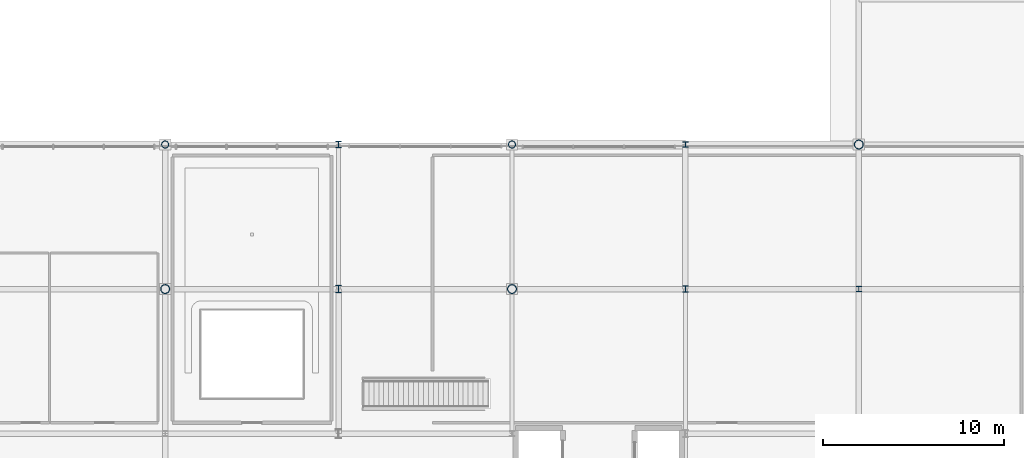
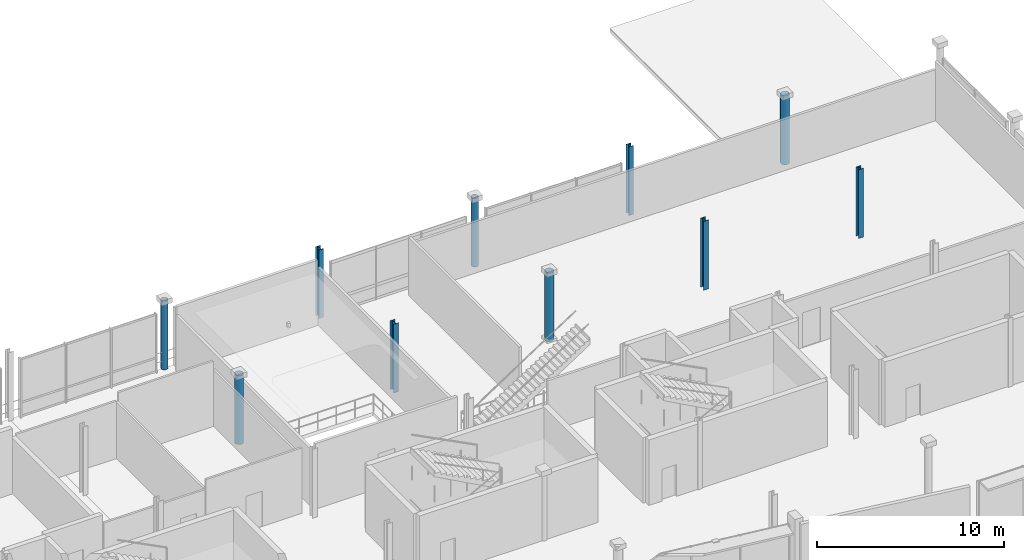
# One storey, part 7 of 59: 10 columns.
"""IFC4 building model written with IfcOpenShell, lengths in metres."""

from ifc_helpers import new_model, si_unit, direction, frame, origin, origin_2d, place, context, subcontext, project, spatial, hollow_circle, i_section, extrude, material, material_profile, profile_set, type_object, element, save


model = new_model("IFC4")

# Units and contexts
model_context = context("Model", 3, precision=1e-05, world=origin(), true_north=direction((0.0, 1.0)))
body_context = subcontext(model_context, "Body", "Model", "MODEL_VIEW")
ifc_project = project(units=[si_unit("LENGTHUNIT", "METRE"), si_unit("AREAUNIT", "SQUARE_METRE"), si_unit("VOLUMEUNIT", "CUBIC_METRE"), si_unit("PLANEANGLEUNIT", "RADIAN"), si_unit("MASSUNIT", "GRAM", prefix="KILO")], contexts=[model_context])

# Site, building, storey
site_placement = place(None, origin())
site = spatial("IfcSite", under=ifc_project, at=site_placement, CompositionType="ELEMENT")
building_placement = place(site_placement, origin())
building = spatial("IfcBuilding", under=site, at=building_placement, Name="Danafjord Basin Convention Centre", CompositionType="ELEMENT")
storey_placement = place(building_placement, frame((0.0, 0.0, 15.89990234375)))
storey = spatial("IfcBuildingStorey", under=building, at=storey_placement, Name="L03", CompositionType="ELEMENT", Elevation=15.89990234375)

# Columns
ifc_material = material(Name="Steel S355", Category="steel")
ifc_material_profile_1 = material_profile(ifc_material, hollow_circle(Radius=0.203125, WallThickness=0.02001953125, at=origin_2d()), Name="CHS 406.4x20.0")
ifc_profile_set_1 = profile_set([ifc_material_profile_1], Name="Steel S355")
column_type_1 = type_object("IfcColumnType", Name="COL-C-CHS406", PredefinedType="COLUMN", material=ifc_profile_set_1)
for number, where, z_axis, x_axis, name in (
    (1, (67.199951171875, 40.0, 0.0), (0.0, 0.0, 1.0), (1.0, 0.0, 0.0), "L03 column C-CHS406 at (67.2, 40.0)"),
    (2, (86.39990234375, 40.0, 0.0), (0.0, 0.0, 1.0), (1.0, 0.0, 0.0), "L03 column C-CHS406 at (86.4, 40.0)"),
):
    element("IfcColumn", number, at=place(storey_placement, frame(where, z_axis=z_axis, x_axis=x_axis)), inside=storey, type_object=column_type_1, Name=name, PredefinedType="COLUMN", context=body_context, shape_type="SweptSolid", body=[
        extrude(hollow_circle(Radius=0.203125, WallThickness=0.02001953125, at=origin_2d()), origin(), (0.0, 0.0, 1.0), 4.5),
    ])
ifc_material_profile_2 = material_profile(ifc_material, hollow_circle(Radius=0.25390625, WallThickness=0.02490234375, at=origin_2d()), Name="CHS 508.0x25.0")
ifc_profile_set_2 = profile_set([ifc_material_profile_2], Name="Steel S355")
column_type_2 = type_object("IfcColumnType", Name="COL-C-CHS508", PredefinedType="COLUMN", material=ifc_profile_set_2)
for number, where, z_axis, x_axis, name in (
    (3, (67.199951171875, 32.0, 0.0), (0.0, 0.0, 1.0), (1.0, 0.0, 0.0), "L03 column C-CHS508 at (67.2, 32.0)"),
    (4, (86.39990234375, 32.0, 0.0), (0.0, 0.0, 1.0), (1.0, 0.0, 0.0), "L03 column C-CHS508 at (86.4, 32.0)"),
    (5, (105.60009765625, 40.0, 0.0), (0.0, 0.0, 1.0), (1.0, 0.0, 0.0), "L03 column C-CHS508 at (105.6, 40.0)"),
):
    element("IfcColumn", number, at=place(storey_placement, frame(where, z_axis=z_axis, x_axis=x_axis)), inside=storey, type_object=column_type_2, Name=name, PredefinedType="COLUMN", context=body_context, shape_type="SweptSolid", body=[
        extrude(hollow_circle(Radius=0.25390625, WallThickness=0.02490234375, at=origin_2d()), origin(), (0.0, 0.0, 1.0), 4.5),
    ])
ifc_material_profile_3 = material_profile(ifc_material, i_section(OverallWidth=0.300048828125, OverallDepth=0.300048828125, WebThickness=0.010986328125, FlangeThickness=0.01904296875, FilletRadius=0.027099609375, at=origin_2d()), Name="HEB 300")
ifc_profile_set_3 = profile_set([ifc_material_profile_3], Name="Steel S355")
column_type_3 = type_object("IfcColumnType", Name="COL-C-HEB300", PredefinedType="COLUMN", material=ifc_profile_set_3)
for number, where, z_axis, x_axis, name in (
    (6, (96.0, 40.0, 0.0), (0.0, 0.0, 1.0), (1.0, 0.0, 0.0), "L03 column C-HEB300 at (96.0, 40.0)"),
    (7, (105.60009765625, 32.0, 0.0), (0.0, 0.0, 1.0), (1.0, 0.0, 0.0), "L03 column C-HEB300 at (105.6, 32.0)"),
):
    element("IfcColumn", number, at=place(storey_placement, frame(where, z_axis=z_axis, x_axis=x_axis)), inside=storey, type_object=column_type_3, Name=name, PredefinedType="COLUMN", context=body_context, shape_type="SweptSolid", body=[
        extrude(i_section(OverallWidth=0.300048828125, OverallDepth=0.300048828125, WebThickness=0.010986328125, FlangeThickness=0.01904296875, FilletRadius=0.027099609375, at=origin_2d()), origin(), (0.0, 0.0, 1.0), 4.5),
    ])
ifc_material_profile_4 = material_profile(ifc_material, i_section(OverallWidth=0.300048828125, OverallDepth=0.360107421875, WebThickness=0.012451171875, FlangeThickness=0.0224609375, FilletRadius=0.027099609375, at=origin_2d()), Name="HEB 360")
ifc_profile_set_4 = profile_set([ifc_material_profile_4], Name="Steel S355")
column_type_4 = type_object("IfcColumnType", Name="COL-C-HEB360", PredefinedType="COLUMN", material=ifc_profile_set_4)
for number, where, z_axis, x_axis, name in (
    (8, (76.800048828125, 40.0, 0.0), (0.0, 0.0, 1.0), (1.0, 0.0, 0.0), "L03 column C-HEB360 at (76.8, 40.0)"),
    (9, (96.0, 32.0, 0.0), (0.0, 0.0, 1.0), (1.0, 0.0, 0.0), "L03 column C-HEB360 at (96.0, 32.0)"),
):
    element("IfcColumn", number, at=place(storey_placement, frame(where, z_axis=z_axis, x_axis=x_axis)), inside=storey, type_object=column_type_4, Name=name, PredefinedType="COLUMN", context=body_context, shape_type="SweptSolid", body=[
        extrude(i_section(OverallWidth=0.300048828125, OverallDepth=0.360107421875, WebThickness=0.012451171875, FlangeThickness=0.0224609375, FilletRadius=0.027099609375, at=origin_2d()), origin(), (0.0, 0.0, 1.0), 4.5),
    ])
ifc_material_profile_5 = material_profile(ifc_material, i_section(OverallWidth=0.300048828125, OverallDepth=0.39990234375, WebThickness=0.013427734375, FlangeThickness=0.02392578125, FilletRadius=0.027099609375, at=origin_2d()), Name="HEB 400")
ifc_profile_set_5 = profile_set([ifc_material_profile_5], Name="Steel S355")
column_type_5 = type_object("IfcColumnType", Name="COL-C-HEB400", PredefinedType="COLUMN", material=ifc_profile_set_5)
column_placement = place(storey_placement, frame((76.800048828125, 32.0, 0.0), z_axis=(0.0, 0.0, 1.0), x_axis=(1.0, 0.0, 0.0)))
element("IfcColumn", 10, at=column_placement, inside=storey, type_object=column_type_5, Name="L03 column C-HEB400 at (76.8, 32.0)", PredefinedType="COLUMN", context=body_context, shape_type="SweptSolid", body=[
    extrude(i_section(OverallWidth=0.300048828125, OverallDepth=0.39990234375, WebThickness=0.013427734375, FlangeThickness=0.02392578125, FilletRadius=0.027099609375, at=origin_2d()), origin(), (0.0, 0.0, 1.0), 4.5),
])

save(model, "model.ifc")
